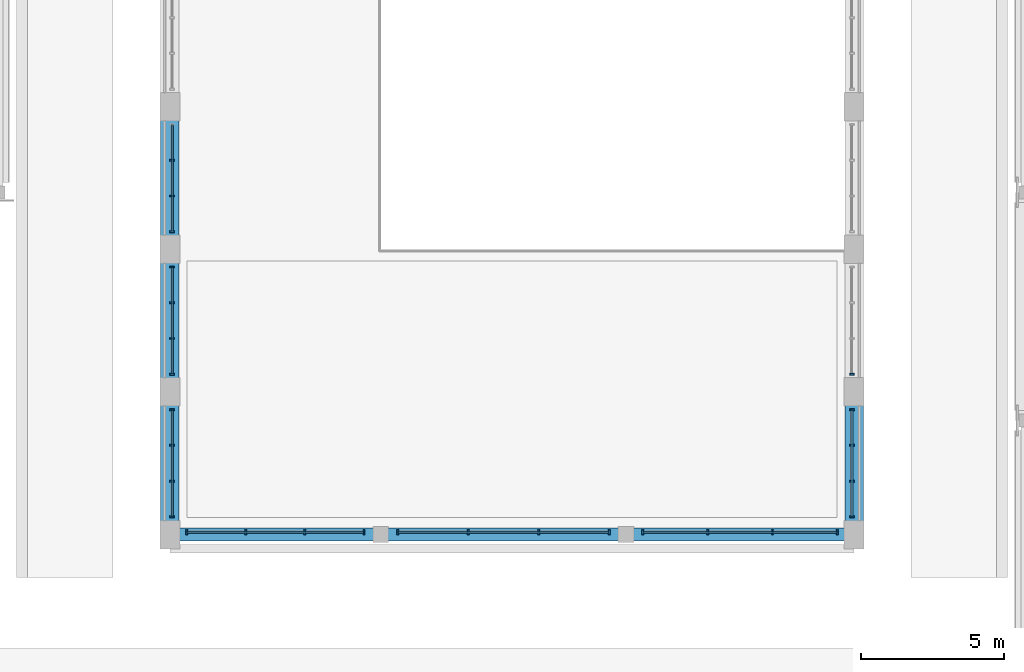
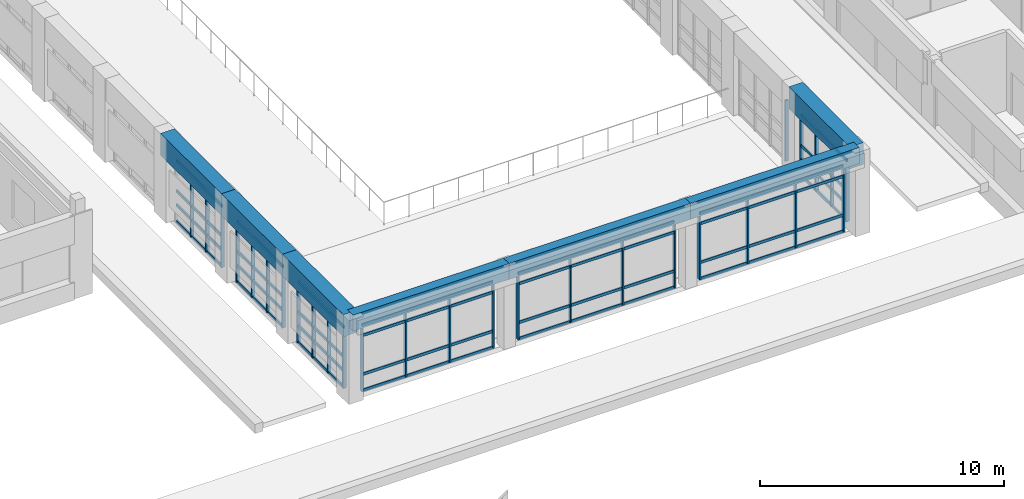
# One storey, part 15 of 97: 56 members, 7 beams, 8 elements without a shape of their own.
"""IFC4 building model written with IfcOpenShell, lengths in metres."""

import ifcopenshell
import ifcopenshell.guid

model = None  # the IFC model being written
_history = None  # IfcOwnerHistory: only IFC2X3 demands one
_inside = {}  # id of a spatial element -> (the spatial element, [elements in it])
_under = {}  # id of a project, library or spatial element -> (it, [spatial elements below it])
_declared = {}  # id of a project -> (the project, [libraries it declares])
_typed = {}  # id of a type object -> (the type object, [elements of that type])
_made_of = {}  # id of a material, layer set ... -> (it, [elements and type objects made of it])


def new_model(schema):
    """Start an empty IFC model of exactly this schema.

    Asked for "IFC4X3", IfcOpenShell would pick the latest addendum, in which some entities
    have other attributes; the version numbers below select the first issue.
    IFC2X3 requires an IfcOwnerHistory on every rooted entity: one is made here for all.
    """
    global model, _history
    if schema == "IFC4X3":
        model = ifcopenshell.file(schema_version=(4, 3, 0, 0))
    else:
        model = ifcopenshell.file(schema=schema)
    _inside.clear()
    _under.clear()
    _declared.clear()
    _typed.clear()
    _made_of.clear()
    _history = None
    if model.schema == "IFC2X3":
        org = make("IfcOrganization", Name="unknown")
        user = make(
            "IfcPersonAndOrganization",
            ThePerson=make("IfcPerson", FamilyName="unknown"),
            TheOrganization=org,
        )
        app = make(
            "IfcApplication",
            ApplicationDeveloper=org,
            Version="unknown",
            ApplicationFullName="unknown",
            ApplicationIdentifier="unknown",
        )
        _history = make(
            "IfcOwnerHistory",
            OwningUser=user,
            OwningApplication=app,
            ChangeAction="ADDED",
            CreationDate=0,
        )
    return model


def make(cls, **values):
    """One entity of the class cls with the attributes given. An attribute that is None is left unset."""
    return model.create_entity(
        cls, **{name: value for name, value in values.items() if value is not None}
    )


def rooted(cls, **values):
    """An entity with a GlobalId (a new one), such as an element, a storey or a relation."""
    return make(cls, GlobalId=ifcopenshell.guid.new(), OwnerHistory=_history, **values)


def si_unit(unit_type, name, prefix=None):
    """IfcSIUnit, for example si_unit("LENGTHUNIT", "METRE", prefix="MILLI")."""
    return make("IfcSIUnit", UnitType=unit_type, Prefix=prefix, Name=name)


def assignment(units):
    """IfcUnitAssignment: the units of a project."""
    return None if units is None else make("IfcUnitAssignment", Units=units)


def point(xyz):
    """IfcCartesianPoint."""
    return None if xyz is None else make("IfcCartesianPoint", Coordinates=xyz)


def direction(xyz):
    """IfcDirection."""
    return None if xyz is None else make("IfcDirection", DirectionRatios=xyz)


def frame(location, z_axis=None, x_axis=None):
    """IfcAxis2Placement3D, a coordinate frame: its origin and axes. An axis left out is left unset."""
    return make(
        "IfcAxis2Placement3D",
        Location=point(location),
        Axis=direction(z_axis),
        RefDirection=direction(x_axis),
    )


def frame_2d(location, x_axis=None):
    """IfcAxis2Placement2D, a coordinate frame in the plane: its origin and x axis."""
    return make(
        "IfcAxis2Placement2D", Location=point(location), RefDirection=direction(x_axis)
    )


def origin():
    """The frame at (0, 0, 0) with its axes left unset."""
    return frame((0.0, 0.0, 0.0))


def origin_2d():
    """The frame at (0, 0) in the plane with its x axis left unset."""
    return frame_2d((0.0, 0.0))


def place(relative_to, where):
    """IfcLocalPlacement: puts the frame where relative to a parent placement (None: the world)."""
    return make(
        "IfcLocalPlacement", PlacementRelTo=relative_to, RelativePlacement=where
    )


def context(
    kind, dimensions, precision=None, world=None, true_north=None, identifier=None
):
    """IfcGeometricRepresentationContext, for example the 3D "Model" context."""
    return make(
        "IfcGeometricRepresentationContext",
        ContextIdentifier=identifier,
        ContextType=kind,
        CoordinateSpaceDimension=dimensions,
        Precision=precision,
        WorldCoordinateSystem=world,
        TrueNorth=true_north,
    )


def subcontext(parent, identifier, kind, view, scale=None):
    """IfcGeometricRepresentationSubContext, for example "Body" below "Model"."""
    return make(
        "IfcGeometricRepresentationSubContext",
        ContextIdentifier=identifier,
        ContextType=kind,
        ParentContext=parent,
        TargetScale=scale,
        TargetView=view,
    )


def project(units=None, contexts=None):
    """IfcProject with its units and contexts."""
    return rooted(
        "IfcProject",
        Name="project",
        RepresentationContexts=contexts,
        UnitsInContext=assignment(units),
    )


def spatial(cls, under=None, at=None, **own):
    """A site, building, storey or space (cls), placed at a placement, below another one or the project."""
    s = rooted(cls, ObjectPlacement=at, **own)
    if under is not None:
        _under.setdefault(under.id(), (under, []))[1].append(s)
    return s


def profile(cls, at=None, kind="AREA", **sizes):
    """A parametric profile (cls). Its sizes go by their IFC names, for example OverallWidth=200.0."""
    return make(cls, ProfileType=kind, Position=at, **sizes)


def rectangle(**sizes):
    """IfcRectangleProfileDef."""
    return profile("IfcRectangleProfileDef", **sizes)


def extrude(swept, where, along, depth):
    """IfcExtrudedAreaSolid: the profile swept, set in the frame where, extruded along a direction by depth."""
    return make(
        "IfcExtrudedAreaSolid",
        SweptArea=swept,
        Position=where,
        ExtrudedDirection=direction(along),
        Depth=depth,
    )


def shape(context_of_items, identifier, shape_type, items):
    """IfcShapeRepresentation: the items that make up one representation, for example the "Body"."""
    return make(
        "IfcShapeRepresentation",
        ContextOfItems=context_of_items,
        RepresentationIdentifier=identifier,
        RepresentationType=shape_type,
        Items=items,
    )


def material(Name=None, Category=None):
    """IfcMaterial."""
    return make("IfcMaterial", Name=Name, Category=Category)


def material_profile(
    of_material, cross_section, Name=None, Category=None, Priority=None
):
    """IfcMaterialProfile: a cross section and its material."""
    return make(
        "IfcMaterialProfile",
        Name=Name,
        Material=of_material,
        Profile=cross_section,
        Priority=Priority,
        Category=Category,
    )


def profile_set(profiles, Name=None, composite=None):
    """IfcMaterialProfileSet."""
    return make(
        "IfcMaterialProfileSet",
        Name=Name,
        MaterialProfiles=profiles,
        CompositeProfile=composite,
    )


def made_of(thing, what):
    """Note that an element or type object is made of a material, layer set ...; save() writes the relation."""
    if what is not None:
        _made_of.setdefault(what.id(), (what, []))[1].append(thing)
    return thing


def type_object(cls, material=None, **own):
    """A type object (cls), such as IfcWallType, which elements share."""
    return made_of(rooted(cls, **own), material)


def element(
    cls,
    number,
    at=None,
    inside=None,
    cuts=None,
    type_object=None,
    material=None,
    context=None,
    identifier="Body",
    shape_type=None,
    held_by="IfcProductDefinitionShape",
    body=None,
    shapes=None,
    **own,
):
    """One element of the class cls, such as IfcWall. Its Tag is "e" and its number.

    at: its placement. inside: the storey or other place that contains it. cuts: it is an
    opening in that element (IfcRelVoidsElement). A single representation is given by context,
    identifier, shape_type and body (its items); several are given by shapes. held_by: the class
    of the entity that holds the representations. save() writes the other relations.
    """
    e = rooted(cls, Tag="e%d" % number, ObjectPlacement=at, **own)
    if body is not None:
        shapes = [shape(context, identifier, shape_type, body)]
    if shapes is not None:
        e.Representation = make(held_by, Representations=shapes)
    if inside is not None:
        _inside.setdefault(inside.id(), (inside, []))[1].append(e)
    if cuts is not None:
        rooted(
            "IfcRelVoidsElement", RelatingBuildingElement=cuts, RelatedOpeningElement=e
        )
    if type_object is not None:
        _typed.setdefault(type_object.id(), (type_object, []))[1].append(e)
    return made_of(e, material)


def aggregate(whole, parts):
    """IfcRelAggregates: a whole, such as a stair, and the parts it consists of."""
    return rooted("IfcRelAggregates", RelatingObject=whole, RelatedObjects=parts)


def save(model, path):
    """Write the relations noted so far, then the file.

    IfcRelAggregates (storeys below a building ...), IfcRelContainedInSpatialStructure (elements
    in a storey), IfcRelDefinesByType, IfcRelAssociatesMaterial and IfcRelDeclares: one each for
    every whole, place, type object, material and project.
    """
    for whole, parts in _under.values():
        aggregate(whole, parts)
    for where, things in _inside.values():
        rooted(
            "IfcRelContainedInSpatialStructure",
            RelatedElements=things,
            RelatingStructure=where,
        )
    for kind, things in _typed.values():
        rooted("IfcRelDefinesByType", RelatedObjects=things, RelatingType=kind)
    for what, things in _made_of.values():
        rooted("IfcRelAssociatesMaterial", RelatedObjects=things, RelatingMaterial=what)
    for by, libraries in _declared.values():
        rooted("IfcRelDeclares", RelatingContext=by, RelatedDefinitions=libraries)
    model.write(path)


model = new_model("IFC4")

# Units and contexts
model_context = context("Model", 3, precision=1e-05, world=origin(), true_north=direction((0.0, 1.0)))
body_context = subcontext(model_context, "Body", "Model", "MODEL_VIEW")
ifc_project = project(units=[si_unit("LENGTHUNIT", "METRE"), si_unit("AREAUNIT", "SQUARE_METRE"), si_unit("VOLUMEUNIT", "CUBIC_METRE"), si_unit("PLANEANGLEUNIT", "RADIAN"), si_unit("MASSUNIT", "GRAM", prefix="KILO")], contexts=[model_context])

# Site, building, storey
site_placement = place(None, origin())
site = spatial("IfcSite", under=ifc_project, at=site_placement, CompositionType="ELEMENT")
building_placement = place(site_placement, origin())
building = spatial("IfcBuilding", under=site, at=building_placement, Name="Kiranvali Square Residences", CompositionType="ELEMENT")
storey_placement = place(building_placement, frame((0.0, 0.0, 4.5)))
storey = spatial("IfcBuildingStorey", under=building, at=storey_placement, Name="L01", CompositionType="ELEMENT", Elevation=4.5)

# Beams
ifc_material_1 = material(Name="Concrete M50 (50 MPa)", Category="concrete")
ifc_material_profile_1 = material_profile(ifc_material_1, rectangle(XDim=0.449951171875, YDim=0.800048828125, at=origin_2d()), Name="RC 450x800")
ifc_profile_set_1 = profile_set([ifc_material_profile_1], Name="Concrete M50 (50 MPa)")
beam_type_1 = type_object("IfcBeamType", Name="BM-M50-450x800", PredefinedType="BEAM", material=ifc_profile_set_1)
beam_1_placement = place(storey_placement, frame((72.0, 44.0, 3.800048828125), z_axis=(1.0, 0.0, 0.0), x_axis=(0.0, 1.0, 0.0)))
element("IfcBeam", 1, at=beam_1_placement, inside=storey, type_object=beam_type_1, Name="L01 beam RB-CH-GAB-S-1", PredefinedType="BEAM", context=body_context, shape_type="SweptSolid", body=[
    extrude(rectangle(XDim=0.449951171875, YDim=0.800048828125, at=origin_2d()), origin(), (0.0, 0.0, 1.0), 7.39990234375),
])
beam_2_placement = place(storey_placement, frame((79.39990234375, 44.0, 3.800048828125), z_axis=(1.0, 0.0, 0.0), x_axis=(0.0, 1.0, 0.0)))
element("IfcBeam", 2, at=beam_2_placement, inside=storey, type_object=beam_type_1, Name="L01 beam RB-CH-GAB-S-2", PredefinedType="BEAM", context=body_context, shape_type="SweptSolid", body=[
    extrude(rectangle(XDim=0.449951171875, YDim=0.800048828125, at=origin_2d()), origin(), (0.0, 0.0, 1.0), 8.60009765625),
])
beam_3_placement = place(storey_placement, frame((88.0, 44.0, 3.800048828125), z_axis=(1.0, 0.0, 0.0), x_axis=(0.0, 1.0, 0.0)))
element("IfcBeam", 3, at=beam_3_placement, inside=storey, type_object=beam_type_1, Name="L01 beam RB-CH-GAB-S-3", PredefinedType="BEAM", context=body_context, shape_type="SweptSolid", body=[
    extrude(rectangle(XDim=0.449951171875, YDim=0.800048828125, at=origin_2d()), origin(), (0.0, 0.0, 1.0), 8.0),
])
ifc_material_2 = material(Name="Concrete M45 (45 MPa)", Category="concrete")
ifc_material_profile_2 = material_profile(ifc_material_2, rectangle(XDim=0.64990234375, YDim=1.10009765625, at=origin_2d()), Name="RC 650x1100")
ifc_profile_set_2 = profile_set([ifc_material_profile_2], Name="Concrete M45 (45 MPa)")
beam_type_2 = type_object("IfcBeamType", Name="BM-RING-650x1100", PredefinedType="BEAM", material=ifc_profile_set_2)
for number, where, z_axis, x_axis, name in (
    (4, (72.0, 44.0, 3.64990234375), (0.0, 1.0, 0.0), (-1.0, 0.0, 0.0), "Community Hall longitudinal vault ring beam W-1"),
    (5, (96.0, 44.0, 3.64990234375), (0.0, 1.0, 0.0), (-1.0, 0.0, 0.0), "Community Hall longitudinal vault ring beam E-1"),
    (6, (72.0, 49.0, 3.64990234375), (0.0, 1.0, 0.0), (-1.0, 0.0, 0.0), "Community Hall longitudinal vault ring beam W-2"),
    (7, (72.0, 54.0, 3.64990234375), (0.0, 1.0, 0.0), (-1.0, 0.0, 0.0), "Community Hall longitudinal vault ring beam W-3"),
):
    element("IfcBeam", number, at=place(storey_placement, frame(where, z_axis=z_axis, x_axis=x_axis)), inside=storey, type_object=beam_type_2, Name=name, PredefinedType="BEAM", context=body_context, shape_type="SweptSolid", body=[
        extrude(rectangle(XDim=0.64990234375, YDim=1.10009765625, at=origin_2d()), origin(), (0.0, 0.0, 1.0), 5.0),
    ])

# Curtain wall, members
ifc_material_3 = material(Name="Anodised bronze aluminium framing", Category="aluminium")
curtain_wall_type = type_object("IfcCurtainWallType", Name="CW-CH-GLZ", PredefinedType="USERDEFINED", material=ifc_material_3)
curtain_wall_1_placement = place(storey_placement, origin())
curtain_wall_1 = element("IfcCurtainWall", 8, at=curtain_wall_1_placement, inside=storey, type_object=curtain_wall_type, Name="Community Hall L01 W clerestory bay 1", ObjectType="CURTAIN WALL", PredefinedType="USERDEFINED")
ifc_material_profile_3 = material_profile(ifc_material_3, rectangle(XDim=0.06494140625, YDim=0.159912109375, at=origin_2d()), Name="ALU 65x160")
ifc_profile_set_3 = profile_set([ifc_material_profile_3], Name="Anodised bronze aluminium framing")
member_type_1 = type_object("IfcMemberType", Name="CW-MUL-160", PredefinedType="MULLION", material=ifc_profile_set_3)
member_1_placement = place(storey_placement, frame((72.080078125, 44.6201171875, 0.02001953125), z_axis=(0.0, 0.0, 1.0), x_axis=(0.0, 1.0, 0.0)))
member_1 = element("IfcMember", 9, at=member_1_placement, type_object=member_type_1, Name="CW-CH-L01-W1 vertical mullion 1", PredefinedType="MULLION", context=body_context, shape_type="SweptSolid", body=[
    extrude(rectangle(XDim=0.06494140625, YDim=0.159912109375, at=origin_2d()), origin(), (0.0, 0.0, 1.0), 3.06005859375),
])
member_2_placement = place(storey_placement, frame((72.080078125, 45.873291015625, 0.02001953125), z_axis=(0.0, 0.0, 1.0), x_axis=(0.0, 1.0, 0.0)))
member_2 = element("IfcMember", 10, at=member_2_placement, type_object=member_type_1, Name="CW-CH-L01-W1 vertical mullion 2", PredefinedType="MULLION", context=body_context, shape_type="SweptSolid", body=[
    extrude(rectangle(XDim=0.06494140625, YDim=0.159912109375, at=origin_2d()), origin(), (0.0, 0.0, 1.0), 3.06005859375),
])
member_3_placement = place(storey_placement, frame((72.080078125, 47.126708984375, 0.02001953125), z_axis=(0.0, 0.0, 1.0), x_axis=(0.0, 1.0, 0.0)))
member_3 = element("IfcMember", 11, at=member_3_placement, type_object=member_type_1, Name="CW-CH-L01-W1 vertical mullion 3", PredefinedType="MULLION", context=body_context, shape_type="SweptSolid", body=[
    extrude(rectangle(XDim=0.06494140625, YDim=0.159912109375, at=origin_2d()), origin(), (0.0, 0.0, 1.0), 3.06005859375),
])
member_4_placement = place(storey_placement, frame((72.080078125, 48.3798828125, 0.02001953125), z_axis=(0.0, 0.0, 1.0), x_axis=(0.0, 1.0, 0.0)))
member_4 = element("IfcMember", 12, at=member_4_placement, type_object=member_type_1, Name="CW-CH-L01-W1 vertical mullion 4", PredefinedType="MULLION", context=body_context, shape_type="SweptSolid", body=[
    extrude(rectangle(XDim=0.06494140625, YDim=0.159912109375, at=origin_2d()), origin(), (0.0, 0.0, 1.0), 3.06005859375),
])

curtain_wall_2_placement = place(storey_placement, origin())
curtain_wall_2 = element("IfcCurtainWall", 13, at=curtain_wall_2_placement, inside=storey, type_object=curtain_wall_type, Name="Community Hall L01 E clerestory bay 1", ObjectType="CURTAIN WALL", PredefinedType="USERDEFINED")
member_5_placement = place(storey_placement, frame((95.919921875, 44.6201171875, 0.02001953125), z_axis=(0.0, 0.0, 1.0), x_axis=(0.0, 1.0, 0.0)))
member_5 = element("IfcMember", 14, at=member_5_placement, type_object=member_type_1, Name="CW-CH-L01-E1 vertical mullion 1", PredefinedType="MULLION", context=body_context, shape_type="SweptSolid", body=[
    extrude(rectangle(XDim=0.06494140625, YDim=0.159912109375, at=origin_2d()), origin(), (0.0, 0.0, 1.0), 3.06005859375),
])
member_6_placement = place(storey_placement, frame((95.919921875, 45.873291015625, 0.02001953125), z_axis=(0.0, 0.0, 1.0), x_axis=(0.0, 1.0, 0.0)))
member_6 = element("IfcMember", 15, at=member_6_placement, type_object=member_type_1, Name="CW-CH-L01-E1 vertical mullion 2", PredefinedType="MULLION", context=body_context, shape_type="SweptSolid", body=[
    extrude(rectangle(XDim=0.06494140625, YDim=0.159912109375, at=origin_2d()), origin(), (0.0, 0.0, 1.0), 3.06005859375),
])
member_7_placement = place(storey_placement, frame((95.919921875, 47.126708984375, 0.02001953125), z_axis=(0.0, 0.0, 1.0), x_axis=(0.0, 1.0, 0.0)))
member_7 = element("IfcMember", 16, at=member_7_placement, type_object=member_type_1, Name="CW-CH-L01-E1 vertical mullion 3", PredefinedType="MULLION", context=body_context, shape_type="SweptSolid", body=[
    extrude(rectangle(XDim=0.06494140625, YDim=0.159912109375, at=origin_2d()), origin(), (0.0, 0.0, 1.0), 3.06005859375),
])
member_8_placement = place(storey_placement, frame((95.919921875, 48.3798828125, 0.02001953125), z_axis=(0.0, 0.0, 1.0), x_axis=(0.0, 1.0, 0.0)))
member_8 = element("IfcMember", 17, at=member_8_placement, type_object=member_type_1, Name="CW-CH-L01-E1 vertical mullion 4", PredefinedType="MULLION", context=body_context, shape_type="SweptSolid", body=[
    extrude(rectangle(XDim=0.06494140625, YDim=0.159912109375, at=origin_2d()), origin(), (0.0, 0.0, 1.0), 3.06005859375),
])

curtain_wall_3_placement = place(storey_placement, origin())
curtain_wall_3 = element("IfcCurtainWall", 18, at=curtain_wall_3_placement, inside=storey, type_object=curtain_wall_type, Name="Community Hall L01 W clerestory bay 2", ObjectType="CURTAIN WALL", PredefinedType="USERDEFINED")
member_9_placement = place(storey_placement, frame((72.080078125, 49.6201171875, 0.02001953125), z_axis=(0.0, 0.0, 1.0), x_axis=(0.0, 1.0, 0.0)))
member_9 = element("IfcMember", 19, at=member_9_placement, type_object=member_type_1, Name="CW-CH-L01-W2 vertical mullion 1", PredefinedType="MULLION", context=body_context, shape_type="SweptSolid", body=[
    extrude(rectangle(XDim=0.06494140625, YDim=0.159912109375, at=origin_2d()), origin(), (0.0, 0.0, 1.0), 3.06005859375),
])
member_10_placement = place(storey_placement, frame((72.080078125, 50.873291015625, 0.02001953125), z_axis=(0.0, 0.0, 1.0), x_axis=(0.0, 1.0, 0.0)))
member_10 = element("IfcMember", 20, at=member_10_placement, type_object=member_type_1, Name="CW-CH-L01-W2 vertical mullion 2", PredefinedType="MULLION", context=body_context, shape_type="SweptSolid", body=[
    extrude(rectangle(XDim=0.06494140625, YDim=0.159912109375, at=origin_2d()), origin(), (0.0, 0.0, 1.0), 3.06005859375),
])
member_11_placement = place(storey_placement, frame((72.080078125, 52.126708984375, 0.02001953125), z_axis=(0.0, 0.0, 1.0), x_axis=(0.0, 1.0, 0.0)))
member_11 = element("IfcMember", 21, at=member_11_placement, type_object=member_type_1, Name="CW-CH-L01-W2 vertical mullion 3", PredefinedType="MULLION", context=body_context, shape_type="SweptSolid", body=[
    extrude(rectangle(XDim=0.06494140625, YDim=0.159912109375, at=origin_2d()), origin(), (0.0, 0.0, 1.0), 3.06005859375),
])
member_12_placement = place(storey_placement, frame((72.080078125, 53.3798828125, 0.02001953125), z_axis=(0.0, 0.0, 1.0), x_axis=(0.0, 1.0, 0.0)))
member_12 = element("IfcMember", 22, at=member_12_placement, type_object=member_type_1, Name="CW-CH-L01-W2 vertical mullion 4", PredefinedType="MULLION", context=body_context, shape_type="SweptSolid", body=[
    extrude(rectangle(XDim=0.06494140625, YDim=0.159912109375, at=origin_2d()), origin(), (0.0, 0.0, 1.0), 3.06005859375),
])

# Curtain wall, member
curtain_wall_4_placement = place(storey_placement, origin())
curtain_wall_4 = element("IfcCurtainWall", 23, at=curtain_wall_4_placement, inside=storey, type_object=curtain_wall_type, Name="Community Hall L01 E clerestory bay 2", ObjectType="CURTAIN WALL", PredefinedType="USERDEFINED")
member_13_placement = place(storey_placement, frame((95.919921875, 49.6201171875, 0.02001953125), z_axis=(0.0, 0.0, 1.0), x_axis=(0.0, 1.0, 0.0)))
member_13 = element("IfcMember", 24, at=member_13_placement, type_object=member_type_1, Name="CW-CH-L01-E2 vertical mullion 1", PredefinedType="MULLION", context=body_context, shape_type="SweptSolid", body=[
    extrude(rectangle(XDim=0.06494140625, YDim=0.159912109375, at=origin_2d()), origin(), (0.0, 0.0, 1.0), 3.06005859375),
])
aggregate(curtain_wall_4, [member_13])

# Curtain wall, members
curtain_wall_5_placement = place(storey_placement, origin())
curtain_wall_5 = element("IfcCurtainWall", 25, at=curtain_wall_5_placement, inside=storey, type_object=curtain_wall_type, Name="Community Hall L01 W clerestory bay 3", ObjectType="CURTAIN WALL", PredefinedType="USERDEFINED")
member_14_placement = place(storey_placement, frame((72.080078125, 54.6201171875, 0.02001953125), z_axis=(0.0, 0.0, 1.0), x_axis=(0.0, 1.0, 0.0)))
member_14 = element("IfcMember", 26, at=member_14_placement, type_object=member_type_1, Name="CW-CH-L01-W3 vertical mullion 1", PredefinedType="MULLION", context=body_context, shape_type="SweptSolid", body=[
    extrude(rectangle(XDim=0.06494140625, YDim=0.159912109375, at=origin_2d()), origin(), (0.0, 0.0, 1.0), 3.06005859375),
])
member_15_placement = place(storey_placement, frame((72.080078125, 55.873291015625, 0.02001953125), z_axis=(0.0, 0.0, 1.0), x_axis=(0.0, 1.0, 0.0)))
member_15 = element("IfcMember", 27, at=member_15_placement, type_object=member_type_1, Name="CW-CH-L01-W3 vertical mullion 2", PredefinedType="MULLION", context=body_context, shape_type="SweptSolid", body=[
    extrude(rectangle(XDim=0.06494140625, YDim=0.159912109375, at=origin_2d()), origin(), (0.0, 0.0, 1.0), 3.06005859375),
])
member_16_placement = place(storey_placement, frame((72.080078125, 57.126708984375, 0.02001953125), z_axis=(0.0, 0.0, 1.0), x_axis=(0.0, 1.0, 0.0)))
member_16 = element("IfcMember", 28, at=member_16_placement, type_object=member_type_1, Name="CW-CH-L01-W3 vertical mullion 3", PredefinedType="MULLION", context=body_context, shape_type="SweptSolid", body=[
    extrude(rectangle(XDim=0.06494140625, YDim=0.159912109375, at=origin_2d()), origin(), (0.0, 0.0, 1.0), 3.06005859375),
])

curtain_wall_6_placement = place(storey_placement, origin())
curtain_wall_6 = element("IfcCurtainWall", 29, at=curtain_wall_6_placement, inside=storey, type_object=curtain_wall_type, Name="Community Hall S gallery bay 1", ObjectType="CURTAIN WALL", PredefinedType="USERDEFINED")
member_17_placement = place(storey_placement, frame((72.590087890625, 44.080078125, 0.02001953125), z_axis=(0.0, 0.0, 1.0), x_axis=(1.0, 0.0, 0.0)))
member_17 = element("IfcMember", 30, at=member_17_placement, type_object=member_type_1, Name="CW-CH-GAB-S1-1 vertical mullion 1", PredefinedType="MULLION", context=body_context, shape_type="SweptSolid", body=[
    extrude(rectangle(XDim=0.06494140625, YDim=0.159912109375, at=origin_2d()), origin(), (0.0, 0.0, 1.0), 3.31005859375),
])
member_18_placement = place(storey_placement, frame((74.663330078125, 44.080078125, 0.02001953125), z_axis=(0.0, 0.0, 1.0), x_axis=(1.0, 0.0, 0.0)))
member_18 = element("IfcMember", 31, at=member_18_placement, type_object=member_type_1, Name="CW-CH-GAB-S1-1 vertical mullion 2", PredefinedType="MULLION", context=body_context, shape_type="SweptSolid", body=[
    extrude(rectangle(XDim=0.06494140625, YDim=0.159912109375, at=origin_2d()), origin(), (0.0, 0.0, 1.0), 3.31005859375),
])
member_19_placement = place(storey_placement, frame((76.736572265625, 44.080078125, 0.02001953125), z_axis=(0.0, 0.0, 1.0), x_axis=(1.0, 0.0, 0.0)))
member_19 = element("IfcMember", 32, at=member_19_placement, type_object=member_type_1, Name="CW-CH-GAB-S1-1 vertical mullion 3", PredefinedType="MULLION", context=body_context, shape_type="SweptSolid", body=[
    extrude(rectangle(XDim=0.06494140625, YDim=0.159912109375, at=origin_2d()), origin(), (0.0, 0.0, 1.0), 3.31005859375),
])
member_20_placement = place(storey_placement, frame((78.81005859375, 44.080078125, 0.02001953125), z_axis=(0.0, 0.0, 1.0), x_axis=(1.0, 0.0, 0.0)))
member_20 = element("IfcMember", 33, at=member_20_placement, type_object=member_type_1, Name="CW-CH-GAB-S1-1 vertical mullion 4", PredefinedType="MULLION", context=body_context, shape_type="SweptSolid", body=[
    extrude(rectangle(XDim=0.06494140625, YDim=0.159912109375, at=origin_2d()), origin(), (0.0, 0.0, 1.0), 3.31005859375),
])

curtain_wall_7_placement = place(storey_placement, origin())
curtain_wall_7 = element("IfcCurtainWall", 34, at=curtain_wall_7_placement, inside=storey, type_object=curtain_wall_type, Name="Community Hall S gallery bay 2", ObjectType="CURTAIN WALL", PredefinedType="USERDEFINED")
member_21_placement = place(storey_placement, frame((79.989990234375, 44.080078125, 0.02001953125), z_axis=(0.0, 0.0, 1.0), x_axis=(1.0, 0.0, 0.0)))
member_21 = element("IfcMember", 35, at=member_21_placement, type_object=member_type_1, Name="CW-CH-GAB-S1-2 vertical mullion 1", PredefinedType="MULLION", context=body_context, shape_type="SweptSolid", body=[
    extrude(rectangle(XDim=0.06494140625, YDim=0.159912109375, at=origin_2d()), origin(), (0.0, 0.0, 1.0), 3.31005859375),
])
member_22_placement = place(storey_placement, frame((82.46337890625, 44.080078125, 0.02001953125), z_axis=(0.0, 0.0, 1.0), x_axis=(1.0, 0.0, 0.0)))
member_22 = element("IfcMember", 36, at=member_22_placement, type_object=member_type_1, Name="CW-CH-GAB-S1-2 vertical mullion 2", PredefinedType="MULLION", context=body_context, shape_type="SweptSolid", body=[
    extrude(rectangle(XDim=0.06494140625, YDim=0.159912109375, at=origin_2d()), origin(), (0.0, 0.0, 1.0), 3.31005859375),
])
member_23_placement = place(storey_placement, frame((84.936767578125, 44.080078125, 0.02001953125), z_axis=(0.0, 0.0, 1.0), x_axis=(1.0, 0.0, 0.0)))
member_23 = element("IfcMember", 37, at=member_23_placement, type_object=member_type_1, Name="CW-CH-GAB-S1-2 vertical mullion 3", PredefinedType="MULLION", context=body_context, shape_type="SweptSolid", body=[
    extrude(rectangle(XDim=0.06494140625, YDim=0.159912109375, at=origin_2d()), origin(), (0.0, 0.0, 1.0), 3.31005859375),
])
member_24_placement = place(storey_placement, frame((87.409912109375, 44.080078125, 0.02001953125), z_axis=(0.0, 0.0, 1.0), x_axis=(1.0, 0.0, 0.0)))
member_24 = element("IfcMember", 38, at=member_24_placement, type_object=member_type_1, Name="CW-CH-GAB-S1-2 vertical mullion 4", PredefinedType="MULLION", context=body_context, shape_type="SweptSolid", body=[
    extrude(rectangle(XDim=0.06494140625, YDim=0.159912109375, at=origin_2d()), origin(), (0.0, 0.0, 1.0), 3.31005859375),
])

curtain_wall_8_placement = place(storey_placement, origin())
curtain_wall_8 = element("IfcCurtainWall", 39, at=curtain_wall_8_placement, inside=storey, type_object=curtain_wall_type, Name="Community Hall S gallery bay 3", ObjectType="CURTAIN WALL", PredefinedType="USERDEFINED")
member_25_placement = place(storey_placement, frame((88.590087890625, 44.080078125, 0.02001953125), z_axis=(0.0, 0.0, 1.0), x_axis=(1.0, 0.0, 0.0)))
member_25 = element("IfcMember", 40, at=member_25_placement, type_object=member_type_1, Name="CW-CH-GAB-S1-3 vertical mullion 1", PredefinedType="MULLION", context=body_context, shape_type="SweptSolid", body=[
    extrude(rectangle(XDim=0.06494140625, YDim=0.159912109375, at=origin_2d()), origin(), (0.0, 0.0, 1.0), 3.31005859375),
])
member_26_placement = place(storey_placement, frame((90.86328125, 44.080078125, 0.02001953125), z_axis=(0.0, 0.0, 1.0), x_axis=(1.0, 0.0, 0.0)))
member_26 = element("IfcMember", 41, at=member_26_placement, type_object=member_type_1, Name="CW-CH-GAB-S1-3 vertical mullion 2", PredefinedType="MULLION", context=body_context, shape_type="SweptSolid", body=[
    extrude(rectangle(XDim=0.06494140625, YDim=0.159912109375, at=origin_2d()), origin(), (0.0, 0.0, 1.0), 3.31005859375),
])
member_27_placement = place(storey_placement, frame((93.13671875, 44.080078125, 0.02001953125), z_axis=(0.0, 0.0, 1.0), x_axis=(1.0, 0.0, 0.0)))
member_27 = element("IfcMember", 42, at=member_27_placement, type_object=member_type_1, Name="CW-CH-GAB-S1-3 vertical mullion 3", PredefinedType="MULLION", context=body_context, shape_type="SweptSolid", body=[
    extrude(rectangle(XDim=0.06494140625, YDim=0.159912109375, at=origin_2d()), origin(), (0.0, 0.0, 1.0), 3.31005859375),
])
member_28_placement = place(storey_placement, frame((95.409912109375, 44.080078125, 0.02001953125), z_axis=(0.0, 0.0, 1.0), x_axis=(1.0, 0.0, 0.0)))
member_28 = element("IfcMember", 43, at=member_28_placement, type_object=member_type_1, Name="CW-CH-GAB-S1-3 vertical mullion 4", PredefinedType="MULLION", context=body_context, shape_type="SweptSolid", body=[
    extrude(rectangle(XDim=0.06494140625, YDim=0.159912109375, at=origin_2d()), origin(), (0.0, 0.0, 1.0), 3.31005859375),
])

# Member
ifc_material_profile_4 = material_profile(ifc_material_3, rectangle(XDim=0.06494140625, YDim=0.139892578125, at=origin_2d()), Name="ALU 65x140")
ifc_profile_set_4 = profile_set([ifc_material_profile_4], Name="Anodised bronze aluminium framing")
member_type_2 = type_object("IfcMemberType", Name="CW-TRN-140", PredefinedType="MULLION", material=ifc_profile_set_4)
member_29_placement = place(storey_placement, frame((72.080078125, 44.6298828125, 0.0400390625), z_axis=(0.0, 1.0, 0.0), x_axis=(-1.0, 0.0, 0.0)))
member_29 = element("IfcMember", 44, at=member_29_placement, type_object=member_type_2, Name="CW-CH-L01-W1 horizontal transom 1", PredefinedType="MULLION", context=body_context, shape_type="SweptSolid", body=[
    extrude(rectangle(XDim=0.06494140625, YDim=0.139892578125, at=origin_2d()), origin(), (0.0, 0.0, 1.0), 3.740234375),
])

member_30_placement = place(storey_placement, frame((72.080078125, 44.6298828125, 0.85009765625), z_axis=(0.0, 1.0, 0.0), x_axis=(-1.0, 0.0, 0.0)))
member_30 = element("IfcMember", 45, at=member_30_placement, type_object=member_type_2, Name="CW-CH-L01-W1 horizontal transom 2", PredefinedType="MULLION", context=body_context, shape_type="SweptSolid", body=[
    extrude(rectangle(XDim=0.06494140625, YDim=0.139892578125, at=origin_2d()), origin(), (0.0, 0.0, 1.0), 3.740234375),
])

member_31_placement = place(storey_placement, frame((72.080078125, 44.6298828125, 1.550048828125), z_axis=(0.0, 1.0, 0.0), x_axis=(-1.0, 0.0, 0.0)))
member_31 = element("IfcMember", 46, at=member_31_placement, type_object=member_type_2, Name="CW-CH-L01-W1 horizontal transom 3", PredefinedType="MULLION", context=body_context, shape_type="SweptSolid", body=[
    extrude(rectangle(XDim=0.06494140625, YDim=0.139892578125, at=origin_2d()), origin(), (0.0, 0.0, 1.0), 3.740234375),
])

member_32_placement = place(storey_placement, frame((72.080078125, 44.6298828125, 3.06005859375), z_axis=(0.0, 1.0, 0.0), x_axis=(-1.0, 0.0, 0.0)))
member_32 = element("IfcMember", 47, at=member_32_placement, type_object=member_type_2, Name="CW-CH-L01-W1 horizontal transom 4", PredefinedType="MULLION", context=body_context, shape_type="SweptSolid", body=[
    extrude(rectangle(XDim=0.06494140625, YDim=0.139892578125, at=origin_2d()), origin(), (0.0, 0.0, 1.0), 3.740234375),
])

aggregate(curtain_wall_1, [member_1, member_2, member_3, member_4, member_29, member_30, member_31, member_32])

member_33_placement = place(storey_placement, frame((95.919921875, 44.6298828125, 0.0400390625), z_axis=(0.0, 1.0, 0.0), x_axis=(-1.0, 0.0, 0.0)))
member_33 = element("IfcMember", 48, at=member_33_placement, type_object=member_type_2, Name="CW-CH-L01-E1 horizontal transom 1", PredefinedType="MULLION", context=body_context, shape_type="SweptSolid", body=[
    extrude(rectangle(XDim=0.06494140625, YDim=0.139892578125, at=origin_2d()), origin(), (0.0, 0.0, 1.0), 3.740234375),
])

member_34_placement = place(storey_placement, frame((95.919921875, 44.6298828125, 0.85009765625), z_axis=(0.0, 1.0, 0.0), x_axis=(-1.0, 0.0, 0.0)))
member_34 = element("IfcMember", 49, at=member_34_placement, type_object=member_type_2, Name="CW-CH-L01-E1 horizontal transom 2", PredefinedType="MULLION", context=body_context, shape_type="SweptSolid", body=[
    extrude(rectangle(XDim=0.06494140625, YDim=0.139892578125, at=origin_2d()), origin(), (0.0, 0.0, 1.0), 3.740234375),
])

member_35_placement = place(storey_placement, frame((95.919921875, 44.6298828125, 1.550048828125), z_axis=(0.0, 1.0, 0.0), x_axis=(-1.0, 0.0, 0.0)))
member_35 = element("IfcMember", 50, at=member_35_placement, type_object=member_type_2, Name="CW-CH-L01-E1 horizontal transom 3", PredefinedType="MULLION", context=body_context, shape_type="SweptSolid", body=[
    extrude(rectangle(XDim=0.06494140625, YDim=0.139892578125, at=origin_2d()), origin(), (0.0, 0.0, 1.0), 3.740234375),
])

member_36_placement = place(storey_placement, frame((95.919921875, 44.6298828125, 3.06005859375), z_axis=(0.0, 1.0, 0.0), x_axis=(-1.0, 0.0, 0.0)))
member_36 = element("IfcMember", 51, at=member_36_placement, type_object=member_type_2, Name="CW-CH-L01-E1 horizontal transom 4", PredefinedType="MULLION", context=body_context, shape_type="SweptSolid", body=[
    extrude(rectangle(XDim=0.06494140625, YDim=0.139892578125, at=origin_2d()), origin(), (0.0, 0.0, 1.0), 3.740234375),
])

aggregate(curtain_wall_2, [member_5, member_6, member_7, member_8, member_33, member_34, member_35, member_36])

member_37_placement = place(storey_placement, frame((72.080078125, 49.6298828125, 0.0400390625), z_axis=(0.0, 1.0, 0.0), x_axis=(-1.0, 0.0, 0.0)))
member_37 = element("IfcMember", 52, at=member_37_placement, type_object=member_type_2, Name="CW-CH-L01-W2 horizontal transom 1", PredefinedType="MULLION", context=body_context, shape_type="SweptSolid", body=[
    extrude(rectangle(XDim=0.06494140625, YDim=0.139892578125, at=origin_2d()), origin(), (0.0, 0.0, 1.0), 3.740234375),
])

member_38_placement = place(storey_placement, frame((72.080078125, 49.6298828125, 0.85009765625), z_axis=(0.0, 1.0, 0.0), x_axis=(-1.0, 0.0, 0.0)))
member_38 = element("IfcMember", 53, at=member_38_placement, type_object=member_type_2, Name="CW-CH-L01-W2 horizontal transom 2", PredefinedType="MULLION", context=body_context, shape_type="SweptSolid", body=[
    extrude(rectangle(XDim=0.06494140625, YDim=0.139892578125, at=origin_2d()), origin(), (0.0, 0.0, 1.0), 3.740234375),
])

member_39_placement = place(storey_placement, frame((72.080078125, 49.6298828125, 1.550048828125), z_axis=(0.0, 1.0, 0.0), x_axis=(-1.0, 0.0, 0.0)))
member_39 = element("IfcMember", 54, at=member_39_placement, type_object=member_type_2, Name="CW-CH-L01-W2 horizontal transom 3", PredefinedType="MULLION", context=body_context, shape_type="SweptSolid", body=[
    extrude(rectangle(XDim=0.06494140625, YDim=0.139892578125, at=origin_2d()), origin(), (0.0, 0.0, 1.0), 3.740234375),
])

member_40_placement = place(storey_placement, frame((72.080078125, 49.6298828125, 3.06005859375), z_axis=(0.0, 1.0, 0.0), x_axis=(-1.0, 0.0, 0.0)))
member_40 = element("IfcMember", 55, at=member_40_placement, type_object=member_type_2, Name="CW-CH-L01-W2 horizontal transom 4", PredefinedType="MULLION", context=body_context, shape_type="SweptSolid", body=[
    extrude(rectangle(XDim=0.06494140625, YDim=0.139892578125, at=origin_2d()), origin(), (0.0, 0.0, 1.0), 3.740234375),
])

aggregate(curtain_wall_3, [member_9, member_10, member_11, member_12, member_37, member_38, member_39, member_40])

member_41_placement = place(storey_placement, frame((72.080078125, 54.6298828125, 0.0400390625), z_axis=(0.0, 1.0, 0.0), x_axis=(-1.0, 0.0, 0.0)))
member_41 = element("IfcMember", 56, at=member_41_placement, type_object=member_type_2, Name="CW-CH-L01-W3 horizontal transom 1", PredefinedType="MULLION", context=body_context, shape_type="SweptSolid", body=[
    extrude(rectangle(XDim=0.06494140625, YDim=0.139892578125, at=origin_2d()), origin(), (0.0, 0.0, 1.0), 3.740234375),
])

member_42_placement = place(storey_placement, frame((72.080078125, 54.6298828125, 0.85009765625), z_axis=(0.0, 1.0, 0.0), x_axis=(-1.0, 0.0, 0.0)))
member_42 = element("IfcMember", 57, at=member_42_placement, type_object=member_type_2, Name="CW-CH-L01-W3 horizontal transom 2", PredefinedType="MULLION", context=body_context, shape_type="SweptSolid", body=[
    extrude(rectangle(XDim=0.06494140625, YDim=0.139892578125, at=origin_2d()), origin(), (0.0, 0.0, 1.0), 3.740234375),
])

member_43_placement = place(storey_placement, frame((72.080078125, 54.6298828125, 1.550048828125), z_axis=(0.0, 1.0, 0.0), x_axis=(-1.0, 0.0, 0.0)))
member_43 = element("IfcMember", 58, at=member_43_placement, type_object=member_type_2, Name="CW-CH-L01-W3 horizontal transom 3", PredefinedType="MULLION", context=body_context, shape_type="SweptSolid", body=[
    extrude(rectangle(XDim=0.06494140625, YDim=0.139892578125, at=origin_2d()), origin(), (0.0, 0.0, 1.0), 3.740234375),
])

member_44_placement = place(storey_placement, frame((72.080078125, 54.6298828125, 3.06005859375), z_axis=(0.0, 1.0, 0.0), x_axis=(-1.0, 0.0, 0.0)))
member_44 = element("IfcMember", 59, at=member_44_placement, type_object=member_type_2, Name="CW-CH-L01-W3 horizontal transom 4", PredefinedType="MULLION", context=body_context, shape_type="SweptSolid", body=[
    extrude(rectangle(XDim=0.06494140625, YDim=0.139892578125, at=origin_2d()), origin(), (0.0, 0.0, 1.0), 3.740234375),
])

aggregate(curtain_wall_5, [member_14, member_15, member_16, member_41, member_42, member_43, member_44])

member_45_placement = place(storey_placement, frame((72.60009765625, 44.080078125, 0.0400390625), z_axis=(1.0, 0.0, 0.0), x_axis=(0.0, 1.0, 0.0)))
member_45 = element("IfcMember", 60, at=member_45_placement, type_object=member_type_2, Name="CW-CH-GAB-S1-1 horizontal transom 1", PredefinedType="MULLION", context=body_context, shape_type="SweptSolid", body=[
    extrude(rectangle(XDim=0.06494140625, YDim=0.139892578125, at=origin_2d()), origin(), (0.0, 0.0, 1.0), 6.199951171875),
])

member_46_placement = place(storey_placement, frame((72.60009765625, 44.080078125, 0.85009765625), z_axis=(1.0, 0.0, 0.0), x_axis=(0.0, 1.0, 0.0)))
member_46 = element("IfcMember", 61, at=member_46_placement, type_object=member_type_2, Name="CW-CH-GAB-S1-1 horizontal transom 2", PredefinedType="MULLION", context=body_context, shape_type="SweptSolid", body=[
    extrude(rectangle(XDim=0.06494140625, YDim=0.139892578125, at=origin_2d()), origin(), (0.0, 0.0, 1.0), 6.199951171875),
])

member_47_placement = place(storey_placement, frame((72.60009765625, 44.080078125, 2.800048828125), z_axis=(1.0, 0.0, 0.0), x_axis=(0.0, 1.0, 0.0)))
member_47 = element("IfcMember", 62, at=member_47_placement, type_object=member_type_2, Name="CW-CH-GAB-S1-1 horizontal transom 3", PredefinedType="MULLION", context=body_context, shape_type="SweptSolid", body=[
    extrude(rectangle(XDim=0.06494140625, YDim=0.139892578125, at=origin_2d()), origin(), (0.0, 0.0, 1.0), 6.199951171875),
])

member_48_placement = place(storey_placement, frame((72.60009765625, 44.080078125, 3.31005859375), z_axis=(1.0, 0.0, 0.0), x_axis=(0.0, 1.0, 0.0)))
member_48 = element("IfcMember", 63, at=member_48_placement, type_object=member_type_2, Name="CW-CH-GAB-S1-1 horizontal transom 4", PredefinedType="MULLION", context=body_context, shape_type="SweptSolid", body=[
    extrude(rectangle(XDim=0.06494140625, YDim=0.139892578125, at=origin_2d()), origin(), (0.0, 0.0, 1.0), 6.199951171875),
])

aggregate(curtain_wall_6, [member_17, member_18, member_19, member_20, member_45, member_46, member_47, member_48])

member_49_placement = place(storey_placement, frame((80.0, 44.080078125, 0.0400390625), z_axis=(1.0, 0.0, 0.0), x_axis=(0.0, 1.0, 0.0)))
member_49 = element("IfcMember", 64, at=member_49_placement, type_object=member_type_2, Name="CW-CH-GAB-S1-2 horizontal transom 1", PredefinedType="MULLION", context=body_context, shape_type="SweptSolid", body=[
    extrude(rectangle(XDim=0.06494140625, YDim=0.139892578125, at=origin_2d()), origin(), (0.0, 0.0, 1.0), 7.39990234375),
])

member_50_placement = place(storey_placement, frame((80.0, 44.080078125, 0.85009765625), z_axis=(1.0, 0.0, 0.0), x_axis=(0.0, 1.0, 0.0)))
member_50 = element("IfcMember", 65, at=member_50_placement, type_object=member_type_2, Name="CW-CH-GAB-S1-2 horizontal transom 2", PredefinedType="MULLION", context=body_context, shape_type="SweptSolid", body=[
    extrude(rectangle(XDim=0.06494140625, YDim=0.139892578125, at=origin_2d()), origin(), (0.0, 0.0, 1.0), 7.39990234375),
])

member_51_placement = place(storey_placement, frame((80.0, 44.080078125, 2.800048828125), z_axis=(1.0, 0.0, 0.0), x_axis=(0.0, 1.0, 0.0)))
member_51 = element("IfcMember", 66, at=member_51_placement, type_object=member_type_2, Name="CW-CH-GAB-S1-2 horizontal transom 3", PredefinedType="MULLION", context=body_context, shape_type="SweptSolid", body=[
    extrude(rectangle(XDim=0.06494140625, YDim=0.139892578125, at=origin_2d()), origin(), (0.0, 0.0, 1.0), 7.39990234375),
])

member_52_placement = place(storey_placement, frame((80.0, 44.080078125, 3.31005859375), z_axis=(1.0, 0.0, 0.0), x_axis=(0.0, 1.0, 0.0)))
member_52 = element("IfcMember", 67, at=member_52_placement, type_object=member_type_2, Name="CW-CH-GAB-S1-2 horizontal transom 4", PredefinedType="MULLION", context=body_context, shape_type="SweptSolid", body=[
    extrude(rectangle(XDim=0.06494140625, YDim=0.139892578125, at=origin_2d()), origin(), (0.0, 0.0, 1.0), 7.39990234375),
])

aggregate(curtain_wall_7, [member_21, member_22, member_23, member_24, member_49, member_50, member_51, member_52])

member_53_placement = place(storey_placement, frame((88.60009765625, 44.080078125, 0.0400390625), z_axis=(1.0, 0.0, 0.0), x_axis=(0.0, 1.0, 0.0)))
member_53 = element("IfcMember", 68, at=member_53_placement, type_object=member_type_2, Name="CW-CH-GAB-S1-3 horizontal transom 1", PredefinedType="MULLION", context=body_context, shape_type="SweptSolid", body=[
    extrude(rectangle(XDim=0.06494140625, YDim=0.139892578125, at=origin_2d()), origin(), (0.0, 0.0, 1.0), 6.7998046875),
])

member_54_placement = place(storey_placement, frame((88.60009765625, 44.080078125, 0.85009765625), z_axis=(1.0, 0.0, 0.0), x_axis=(0.0, 1.0, 0.0)))
member_54 = element("IfcMember", 69, at=member_54_placement, type_object=member_type_2, Name="CW-CH-GAB-S1-3 horizontal transom 2", PredefinedType="MULLION", context=body_context, shape_type="SweptSolid", body=[
    extrude(rectangle(XDim=0.06494140625, YDim=0.139892578125, at=origin_2d()), origin(), (0.0, 0.0, 1.0), 6.7998046875),
])

member_55_placement = place(storey_placement, frame((88.60009765625, 44.080078125, 2.800048828125), z_axis=(1.0, 0.0, 0.0), x_axis=(0.0, 1.0, 0.0)))
member_55 = element("IfcMember", 70, at=member_55_placement, type_object=member_type_2, Name="CW-CH-GAB-S1-3 horizontal transom 3", PredefinedType="MULLION", context=body_context, shape_type="SweptSolid", body=[
    extrude(rectangle(XDim=0.06494140625, YDim=0.139892578125, at=origin_2d()), origin(), (0.0, 0.0, 1.0), 6.7998046875),
])

member_56_placement = place(storey_placement, frame((88.60009765625, 44.080078125, 3.31005859375), z_axis=(1.0, 0.0, 0.0), x_axis=(0.0, 1.0, 0.0)))
member_56 = element("IfcMember", 71, at=member_56_placement, type_object=member_type_2, Name="CW-CH-GAB-S1-3 horizontal transom 4", PredefinedType="MULLION", context=body_context, shape_type="SweptSolid", body=[
    extrude(rectangle(XDim=0.06494140625, YDim=0.139892578125, at=origin_2d()), origin(), (0.0, 0.0, 1.0), 6.7998046875),
])

aggregate(curtain_wall_8, [member_25, member_26, member_27, member_28, member_53, member_54, member_55, member_56])

save(model, "model.ifc")
